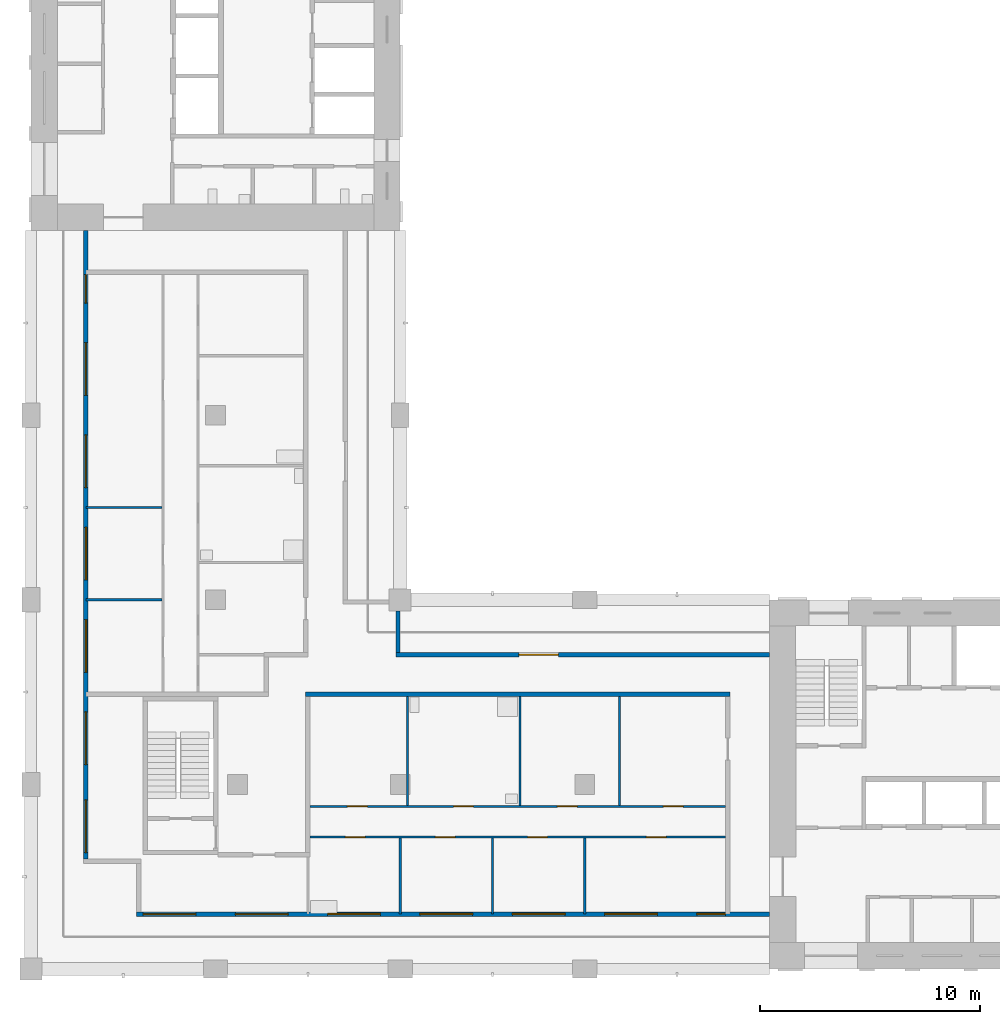
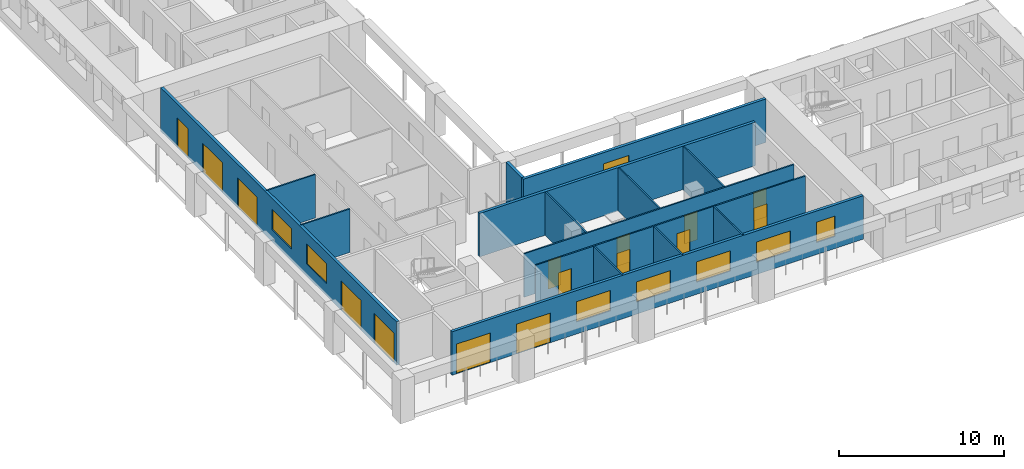
# One storey, part 2 of 9: 16 doors, 15 walls, 7 windows, 23 openings.
"""IFC4 building model written with IfcOpenShell, lengths in metres."""

from ifc_helpers import new_model, si_unit, direction, frame, frame_2d, origin, place, context, subcontext, project, spatial, rectangle, extrude, material, layer, layer_set, type_object, element, fill, save


model = new_model("IFC4")

# Units and contexts
model_context = context("Model", 3, precision=1e-05, world=origin(), true_north=direction((0.0, 1.0)))
body_context = subcontext(model_context, "Body", "Model", "MODEL_VIEW")
ifc_project = project(units=[si_unit("LENGTHUNIT", "METRE"), si_unit("AREAUNIT", "SQUARE_METRE"), si_unit("VOLUMEUNIT", "CUBIC_METRE"), si_unit("PLANEANGLEUNIT", "RADIAN"), si_unit("MASSUNIT", "GRAM", prefix="KILO")], contexts=[model_context])

# Site, building, storey
site_placement = place(None, origin())
site = spatial("IfcSite", under=ifc_project, at=site_placement, CompositionType="ELEMENT")
building_placement = place(site_placement, origin())
building = spatial("IfcBuilding", under=site, at=building_placement, Name="Vermilion Gate Residences", CompositionType="ELEMENT")
storey_placement = place(building_placement, frame((0.0, 0.0, 228.199951171875)))
storey = spatial("IfcBuildingStorey", under=building, at=storey_placement, Name="L59", CompositionType="ELEMENT", Elevation=228.199951171875)

# Wall, openings, doors, windows
ifc_material_1 = material(Name="Insulated steel stud wall with terracotta rainscreen", Category="masonry")
ifc_layer_1 = layer(ifc_material_1, 0.199951171875)
ifc_layer_set_1 = layer_set([ifc_layer_1], Name="EXTERNAL WALL 200 TERRACOTTA RAINSCREEN")
wall_type_1 = type_object("IfcWallType", Name="EXTERNAL WALL 200 TERRACOTTA RAINSCREEN", PredefinedType="SOLIDWALL", material=ifc_layer_set_1)
wall_1_placement = place(storey_placement, frame((10.89990234375, 42.0, 0.0), z_axis=(0.0, 0.0, 1.0), x_axis=(0.0, -1.0, 0.0)))
wall_1 = element("IfcWall", 1, at=wall_1_placement, inside=storey, type_object=wall_type_1, Name="External wall", PredefinedType="SOLIDWALL", context=body_context, shape_type="SweptSolid", body=[
    extrude(rectangle(XDim=28.60009765625, YDim=0.199951171875, at=frame_2d((14.300048828125, 0.0))), origin(), (0.0, 0.0, 1.0), 3.219970703125),
])
opening_1_placement = place(wall_1_placement, frame((25.89990234375, 0.0, 0.0)))
opening_1 = element("IfcOpeningElement", 2, at=opening_1_placement, cuts=wall_1, Name="Opening DE59001", PredefinedType="OPENING", context=body_context, shape_type="SweptSolid", body=[
    extrude(rectangle(XDim=2.39990234375, YDim=2.199951171875, at=frame_2d((1.199951171875, 1.10009765625))), frame((0.0, 0.10986328125, 0.0), z_axis=(0.0, -1.0, 0.0), x_axis=(1.0, 0.0, 0.0)), (0.0, 0.0, 1.0), 0.219970703125),
])
opening_2_placement = place(wall_1_placement, frame((21.89990234375, 0.0, 0.0)))
opening_2 = element("IfcOpeningElement", 3, at=opening_2_placement, cuts=wall_1, Name="Opening DE59002", PredefinedType="OPENING", context=body_context, shape_type="SweptSolid", body=[
    extrude(rectangle(XDim=2.39990234375, YDim=2.199951171875, at=frame_2d((1.199951171875, 1.10009765625))), frame((0.0, 0.10986328125, 0.0), z_axis=(0.0, -1.0, 0.0), x_axis=(1.0, 0.0, 0.0)), (0.0, 0.0, 1.0), 0.219970703125),
])
opening_3_placement = place(wall_1_placement, frame((17.699951171875, 0.0, 0.89990234375)))
opening_3 = element("IfcOpeningElement", 4, at=opening_3_placement, cuts=wall_1, Name="Opening WE59003", PredefinedType="OPENING", context=body_context, shape_type="SweptSolid", body=[
    extrude(rectangle(XDim=2.39990234375, YDim=1.5, at=frame_2d((1.199951171875, 0.75))), frame((0.0, 0.10986328125, 0.0), z_axis=(0.0, -1.0, 0.0), x_axis=(1.0, 0.0, 0.0)), (0.0, 0.0, 1.0), 0.219970703125),
])
opening_4_placement = place(wall_1_placement, frame((13.5, 0.0, 0.89990234375)))
opening_4 = element("IfcOpeningElement", 5, at=opening_4_placement, cuts=wall_1, Name="Opening WE59004", PredefinedType="OPENING", context=body_context, shape_type="SweptSolid", body=[
    extrude(rectangle(XDim=2.39990234375, YDim=1.5, at=frame_2d((1.199951171875, 0.75))), frame((0.0, 0.10986328125, 0.0), z_axis=(0.0, -1.0, 0.0), x_axis=(1.0, 0.0, 0.0)), (0.0, 0.0, 1.0), 0.219970703125),
])
opening_5_placement = place(wall_1_placement, frame((9.300048828125, 0.0, 0.0)))
opening_5 = element("IfcOpeningElement", 6, at=opening_5_placement, cuts=wall_1, Name="Opening DE59005", PredefinedType="OPENING", context=body_context, shape_type="SweptSolid", body=[
    extrude(rectangle(XDim=2.39990234375, YDim=2.199951171875, at=frame_2d((1.199951171875, 1.10009765625))), frame((0.0, 0.10986328125, 0.0), z_axis=(0.0, -1.0, 0.0), x_axis=(1.0, 0.0, 0.0)), (0.0, 0.0, 1.0), 0.219970703125),
])
opening_6_placement = place(wall_1_placement, frame((5.10009765625, 0.0, 0.0)))
opening_6 = element("IfcOpeningElement", 7, at=opening_6_placement, cuts=wall_1, Name="Opening DE59006", PredefinedType="OPENING", context=body_context, shape_type="SweptSolid", body=[
    extrude(rectangle(XDim=2.39990234375, YDim=2.199951171875, at=frame_2d((1.199951171875, 1.10009765625))), frame((0.0, 0.10986328125, 0.0), z_axis=(0.0, -1.0, 0.0), x_axis=(1.0, 0.0, 0.0)), (0.0, 0.0, 1.0), 0.219970703125),
])
opening_7_placement = place(wall_1_placement, frame((2.0, 0.0, 0.0)))
opening_7 = element("IfcOpeningElement", 8, at=opening_7_placement, cuts=wall_1, Name="Opening DE59007", PredefinedType="OPENING", context=body_context, shape_type="SweptSolid", body=[
    extrude(rectangle(XDim=1.300048828125, YDim=2.199951171875, at=frame_2d((0.64990234375, 1.10009765625))), frame((0.0, 0.10986328125, 0.0), z_axis=(0.0, -1.0, 0.0), x_axis=(1.0, 0.0, 0.0)), (0.0, 0.0, 1.0), 0.219970703125),
])
ifc_material_2 = material(Name="Aluminium and clear glass", Category="aluminium")
door_type_1 = type_object("IfcDoorType", Name="SLIDING GLAZED DOOR 1300 X 2200", OperationType="DOUBLE_DOOR_SLIDING", PredefinedType="DOOR", material=ifc_material_2)
door_1_placement = place(opening_7_placement, origin())
door_1 = element("IfcDoor", 9, at=door_1_placement, inside=storey, type_object=door_type_1, Name="Loggia sliding door", OperationType="DOUBLE_DOOR_SLIDING", OverallHeight=2.199951171875, OverallWidth=1.300048828125, PredefinedType="DOOR", context=body_context, shape_type="SweptSolid", body=[
    extrude(rectangle(XDim=1.300048828125, YDim=2.199951171875, at=frame_2d((0.64990234375, 1.10009765625))), frame((0.0, 0.02490234375, 0.0), z_axis=(0.0, -1.0, 0.0), x_axis=(1.0, 0.0, 0.0)), (0.0, 0.0, 1.0), 0.050048828125),
])
fill(opening_7, door_1)
ifc_material_3 = material(Name="Aluminium and clear glass", Category="aluminium")
door_type_2 = type_object("IfcDoorType", Name="SLIDING GLAZED DOOR 2400 X 2200", OperationType="DOUBLE_DOOR_SLIDING", PredefinedType="DOOR", material=ifc_material_3)
door_2_placement = place(opening_1_placement, origin())
door_2 = element("IfcDoor", 10, at=door_2_placement, inside=storey, type_object=door_type_2, Name="Loggia sliding door", OperationType="DOUBLE_DOOR_SLIDING", OverallHeight=2.199951171875, OverallWidth=2.39990234375, PredefinedType="DOOR", context=body_context, shape_type="SweptSolid", body=[
    extrude(rectangle(XDim=2.39990234375, YDim=2.199951171875, at=frame_2d((1.199951171875, 1.10009765625))), frame((0.0, 0.02490234375, 0.0), z_axis=(0.0, -1.0, 0.0), x_axis=(1.0, 0.0, 0.0)), (0.0, 0.0, 1.0), 0.050048828125),
])
fill(opening_1, door_2)
door_3_placement = place(opening_2_placement, origin())
door_3 = element("IfcDoor", 11, at=door_3_placement, inside=storey, type_object=door_type_2, Name="Loggia sliding door", OperationType="DOUBLE_DOOR_SLIDING", OverallHeight=2.199951171875, OverallWidth=2.39990234375, PredefinedType="DOOR", context=body_context, shape_type="SweptSolid", body=[
    extrude(rectangle(XDim=2.39990234375, YDim=2.199951171875, at=frame_2d((1.199951171875, 1.10009765625))), frame((0.0, 0.02490234375, 0.0), z_axis=(0.0, -1.0, 0.0), x_axis=(1.0, 0.0, 0.0)), (0.0, 0.0, 1.0), 0.050048828125),
])
fill(opening_2, door_3)
door_4_placement = place(opening_5_placement, origin())
door_4 = element("IfcDoor", 12, at=door_4_placement, inside=storey, type_object=door_type_2, Name="Loggia sliding door", OperationType="DOUBLE_DOOR_SLIDING", OverallHeight=2.199951171875, OverallWidth=2.39990234375, PredefinedType="DOOR", context=body_context, shape_type="SweptSolid", body=[
    extrude(rectangle(XDim=2.39990234375, YDim=2.199951171875, at=frame_2d((1.199951171875, 1.10009765625))), frame((0.0, 0.02490234375, 0.0), z_axis=(0.0, -1.0, 0.0), x_axis=(1.0, 0.0, 0.0)), (0.0, 0.0, 1.0), 0.050048828125),
])
fill(opening_5, door_4)
door_5_placement = place(opening_6_placement, origin())
door_5 = element("IfcDoor", 13, at=door_5_placement, inside=storey, type_object=door_type_2, Name="Loggia sliding door", OperationType="DOUBLE_DOOR_SLIDING", OverallHeight=2.199951171875, OverallWidth=2.39990234375, PredefinedType="DOOR", context=body_context, shape_type="SweptSolid", body=[
    extrude(rectangle(XDim=2.39990234375, YDim=2.199951171875, at=frame_2d((1.199951171875, 1.10009765625))), frame((0.0, 0.02490234375, 0.0), z_axis=(0.0, -1.0, 0.0), x_axis=(1.0, 0.0, 0.0)), (0.0, 0.0, 1.0), 0.050048828125),
])
fill(opening_6, door_5)
ifc_material_4 = material(Name="Aluminium and clear glass", Category="aluminium")
window_type_1 = type_object("IfcWindowType", Name="WINDOW 2400 X 1500", PartitioningType="SINGLE_PANEL", PredefinedType="WINDOW", material=ifc_material_4)
window_1_placement = place(opening_3_placement, origin())
window_1 = element("IfcWindow", 14, at=window_1_placement, inside=storey, type_object=window_type_1, Name="Window", OverallHeight=1.5, OverallWidth=2.39990234375, PartitioningType="SINGLE_PANEL", PredefinedType="WINDOW", context=body_context, shape_type="SweptSolid", body=[
    extrude(rectangle(XDim=2.39990234375, YDim=1.5, at=frame_2d((1.199951171875, 0.75))), frame((0.0, 0.030029296875, 0.0), z_axis=(0.0, -1.0, 0.0), x_axis=(1.0, 0.0, 0.0)), (0.0, 0.0, 1.0), 0.06005859375),
])
fill(opening_3, window_1)
window_2_placement = place(opening_4_placement, origin())
window_2 = element("IfcWindow", 15, at=window_2_placement, inside=storey, type_object=window_type_1, Name="Window", OverallHeight=1.5, OverallWidth=2.39990234375, PartitioningType="SINGLE_PANEL", PredefinedType="WINDOW", context=body_context, shape_type="SweptSolid", body=[
    extrude(rectangle(XDim=2.39990234375, YDim=1.5, at=frame_2d((1.199951171875, 0.75))), frame((0.0, 0.030029296875, 0.0), z_axis=(0.0, -1.0, 0.0), x_axis=(1.0, 0.0, 0.0)), (0.0, 0.0, 1.0), 0.06005859375),
])
fill(opening_4, window_2)

wall_2_placement = place(storey_placement, frame((13.199951171875, 10.89990234375, 0.0), z_axis=(0.0, 0.0, 1.0), x_axis=(1.0, 0.0, 0.0)))
wall_2 = element("IfcWall", 16, at=wall_2_placement, inside=storey, type_object=wall_type_1, Name="External wall", PredefinedType="SOLIDWALL", context=body_context, shape_type="SweptSolid", body=[
    extrude(rectangle(XDim=28.800048828125, YDim=0.199951171875, at=frame_2d((14.39990234375, 0.0))), origin(), (0.0, 0.0, 1.0), 3.219970703125),
])
opening_8_placement = place(wall_2_placement, frame((0.300048828125, 0.0, 0.0)))
opening_8 = element("IfcOpeningElement", 17, at=opening_8_placement, cuts=wall_2, Name="Opening DE59008", PredefinedType="OPENING", context=body_context, shape_type="SweptSolid", body=[
    extrude(rectangle(XDim=2.39990234375, YDim=2.199951171875, at=frame_2d((1.199951171875, 1.10009765625))), frame((0.0, 0.10986328125, 0.0), z_axis=(0.0, -1.0, 0.0), x_axis=(1.0, 0.0, 0.0)), (0.0, 0.0, 1.0), 0.219970703125),
])
opening_9_placement = place(wall_2_placement, frame((4.5, 0.0, 0.0)))
opening_9 = element("IfcOpeningElement", 18, at=opening_9_placement, cuts=wall_2, Name="Opening DE59009", PredefinedType="OPENING", context=body_context, shape_type="SweptSolid", body=[
    extrude(rectangle(XDim=2.39990234375, YDim=2.199951171875, at=frame_2d((1.199951171875, 1.10009765625))), frame((0.0, 0.10986328125, 0.0), z_axis=(0.0, -1.0, 0.0), x_axis=(1.0, 0.0, 0.0)), (0.0, 0.0, 1.0), 0.219970703125),
])
opening_10_placement = place(wall_2_placement, frame((8.699951171875, 0.0, 0.89990234375)))
opening_10 = element("IfcOpeningElement", 19, at=opening_10_placement, cuts=wall_2, Name="Opening WE59010", PredefinedType="OPENING", context=body_context, shape_type="SweptSolid", body=[
    extrude(rectangle(XDim=2.39990234375, YDim=1.5, at=frame_2d((1.199951171875, 0.75))), frame((0.0, 0.10986328125, 0.0), z_axis=(0.0, -1.0, 0.0), x_axis=(1.0, 0.0, 0.0)), (0.0, 0.0, 1.0), 0.219970703125),
])
opening_11_placement = place(wall_2_placement, frame((12.89990234375, 0.0, 0.89990234375)))
opening_11 = element("IfcOpeningElement", 20, at=opening_11_placement, cuts=wall_2, Name="Opening WE59011", PredefinedType="OPENING", context=body_context, shape_type="SweptSolid", body=[
    extrude(rectangle(XDim=2.39990234375, YDim=1.5, at=frame_2d((1.199951171875, 0.75))), frame((0.0, 0.10986328125, 0.0), z_axis=(0.0, -1.0, 0.0), x_axis=(1.0, 0.0, 0.0)), (0.0, 0.0, 1.0), 0.219970703125),
])
opening_12_placement = place(wall_2_placement, frame((17.10009765625, 0.0, 0.89990234375)))
opening_12 = element("IfcOpeningElement", 21, at=opening_12_placement, cuts=wall_2, Name="Opening WE59012", PredefinedType="OPENING", context=body_context, shape_type="SweptSolid", body=[
    extrude(rectangle(XDim=2.39990234375, YDim=1.5, at=frame_2d((1.199951171875, 0.75))), frame((0.0, 0.10986328125, 0.0), z_axis=(0.0, -1.0, 0.0), x_axis=(1.0, 0.0, 0.0)), (0.0, 0.0, 1.0), 0.219970703125),
])
opening_13_placement = place(wall_2_placement, frame((21.300048828125, 0.0, 0.89990234375)))
opening_13 = element("IfcOpeningElement", 22, at=opening_13_placement, cuts=wall_2, Name="Opening WE59013", PredefinedType="OPENING", context=body_context, shape_type="SweptSolid", body=[
    extrude(rectangle(XDim=2.39990234375, YDim=1.5, at=frame_2d((1.199951171875, 0.75))), frame((0.0, 0.10986328125, 0.0), z_axis=(0.0, -1.0, 0.0), x_axis=(1.0, 0.0, 0.0)), (0.0, 0.0, 1.0), 0.219970703125),
])
opening_14_placement = place(wall_2_placement, frame((25.5, 0.0, 0.89990234375)))
opening_14 = element("IfcOpeningElement", 23, at=opening_14_placement, cuts=wall_2, Name="Opening WE59014", PredefinedType="OPENING", context=body_context, shape_type="SweptSolid", body=[
    extrude(rectangle(XDim=1.300048828125, YDim=1.5, at=frame_2d((0.64990234375, 0.75))), frame((0.0, 0.10986328125, 0.0), z_axis=(0.0, -1.0, 0.0), x_axis=(1.0, 0.0, 0.0)), (0.0, 0.0, 1.0), 0.219970703125),
])
door_6_placement = place(opening_8_placement, origin())
door_6 = element("IfcDoor", 24, at=door_6_placement, inside=storey, type_object=door_type_2, Name="Loggia sliding door", OperationType="DOUBLE_DOOR_SLIDING", OverallHeight=2.199951171875, OverallWidth=2.39990234375, PredefinedType="DOOR", context=body_context, shape_type="SweptSolid", body=[
    extrude(rectangle(XDim=2.39990234375, YDim=2.199951171875, at=frame_2d((1.199951171875, 1.10009765625))), frame((0.0, 0.02490234375, 0.0), z_axis=(0.0, -1.0, 0.0), x_axis=(1.0, 0.0, 0.0)), (0.0, 0.0, 1.0), 0.050048828125),
])
fill(opening_8, door_6)
door_7_placement = place(opening_9_placement, origin())
door_7 = element("IfcDoor", 25, at=door_7_placement, inside=storey, type_object=door_type_2, Name="Loggia sliding door", OperationType="DOUBLE_DOOR_SLIDING", OverallHeight=2.199951171875, OverallWidth=2.39990234375, PredefinedType="DOOR", context=body_context, shape_type="SweptSolid", body=[
    extrude(rectangle(XDim=2.39990234375, YDim=2.199951171875, at=frame_2d((1.199951171875, 1.10009765625))), frame((0.0, 0.02490234375, 0.0), z_axis=(0.0, -1.0, 0.0), x_axis=(1.0, 0.0, 0.0)), (0.0, 0.0, 1.0), 0.050048828125),
])
fill(opening_9, door_7)
ifc_material_5 = material(Name="Aluminium and clear glass", Category="aluminium")
window_type_2 = type_object("IfcWindowType", Name="WINDOW 1300 X 1500", PartitioningType="SINGLE_PANEL", PredefinedType="WINDOW", material=ifc_material_5)
window_3_placement = place(opening_14_placement, origin())
window_3 = element("IfcWindow", 26, at=window_3_placement, inside=storey, type_object=window_type_2, Name="Window", OverallHeight=1.5, OverallWidth=1.300048828125, PartitioningType="SINGLE_PANEL", PredefinedType="WINDOW", context=body_context, shape_type="SweptSolid", body=[
    extrude(rectangle(XDim=1.300048828125, YDim=1.5, at=frame_2d((0.64990234375, 0.75))), frame((0.0, 0.030029296875, 0.0), z_axis=(0.0, -1.0, 0.0), x_axis=(1.0, 0.0, 0.0)), (0.0, 0.0, 1.0), 0.06005859375),
])
fill(opening_14, window_3)
window_4_placement = place(opening_10_placement, origin())
window_4 = element("IfcWindow", 27, at=window_4_placement, inside=storey, type_object=window_type_1, Name="Window", OverallHeight=1.5, OverallWidth=2.39990234375, PartitioningType="SINGLE_PANEL", PredefinedType="WINDOW", context=body_context, shape_type="SweptSolid", body=[
    extrude(rectangle(XDim=2.39990234375, YDim=1.5, at=frame_2d((1.199951171875, 0.75))), frame((0.0, 0.030029296875, 0.0), z_axis=(0.0, -1.0, 0.0), x_axis=(1.0, 0.0, 0.0)), (0.0, 0.0, 1.0), 0.06005859375),
])
fill(opening_10, window_4)
window_5_placement = place(opening_11_placement, origin())
window_5 = element("IfcWindow", 28, at=window_5_placement, inside=storey, type_object=window_type_1, Name="Window", OverallHeight=1.5, OverallWidth=2.39990234375, PartitioningType="SINGLE_PANEL", PredefinedType="WINDOW", context=body_context, shape_type="SweptSolid", body=[
    extrude(rectangle(XDim=2.39990234375, YDim=1.5, at=frame_2d((1.199951171875, 0.75))), frame((0.0, 0.030029296875, 0.0), z_axis=(0.0, -1.0, 0.0), x_axis=(1.0, 0.0, 0.0)), (0.0, 0.0, 1.0), 0.06005859375),
])
fill(opening_11, window_5)
window_6_placement = place(opening_12_placement, origin())
window_6 = element("IfcWindow", 29, at=window_6_placement, inside=storey, type_object=window_type_1, Name="Window", OverallHeight=1.5, OverallWidth=2.39990234375, PartitioningType="SINGLE_PANEL", PredefinedType="WINDOW", context=body_context, shape_type="SweptSolid", body=[
    extrude(rectangle(XDim=2.39990234375, YDim=1.5, at=frame_2d((1.199951171875, 0.75))), frame((0.0, 0.030029296875, 0.0), z_axis=(0.0, -1.0, 0.0), x_axis=(1.0, 0.0, 0.0)), (0.0, 0.0, 1.0), 0.06005859375),
])
fill(opening_12, window_6)
window_7_placement = place(opening_13_placement, origin())
window_7 = element("IfcWindow", 30, at=window_7_placement, inside=storey, type_object=window_type_1, Name="Window", OverallHeight=1.5, OverallWidth=2.39990234375, PartitioningType="SINGLE_PANEL", PredefinedType="WINDOW", context=body_context, shape_type="SweptSolid", body=[
    extrude(rectangle(XDim=2.39990234375, YDim=1.5, at=frame_2d((1.199951171875, 0.75))), frame((0.0, 0.030029296875, 0.0), z_axis=(0.0, -1.0, 0.0), x_axis=(1.0, 0.0, 0.0)), (0.0, 0.0, 1.0), 0.06005859375),
])
fill(opening_13, window_7)

# Wall, opening, door
wall_3_placement = place(storey_placement, frame((42.0, 22.699951171875, 0.0), z_axis=(0.0, 0.0, 1.0), x_axis=(-1.0, 0.0, 0.0)))
wall_3 = element("IfcWall", 31, at=wall_3_placement, inside=storey, type_object=wall_type_1, Name="External wall", PredefinedType="SOLIDWALL", context=body_context, shape_type="SweptSolid", body=[
    extrude(rectangle(XDim=17.0, YDim=0.199951171875, at=frame_2d((8.5, 0.0))), origin(), (0.0, 0.0, 1.0), 3.219970703125),
])
opening_15_placement = place(wall_3_placement, frame((9.60009765625, 0.0, 0.0)))
opening_15 = element("IfcOpeningElement", 32, at=opening_15_placement, cuts=wall_3, Name="Opening DE59015", PredefinedType="OPENING", context=body_context, shape_type="SweptSolid", body=[
    extrude(rectangle(XDim=1.800048828125, YDim=2.39990234375, at=frame_2d((0.89990234375, 1.199951171875))), frame((0.0, 0.10986328125, 0.0), z_axis=(0.0, -1.0, 0.0), x_axis=(1.0, 0.0, 0.0)), (0.0, 0.0, 1.0), 0.219970703125),
])
ifc_material_6 = material(Name="Aluminium and clear glass", Category="aluminium")
door_type_3 = type_object("IfcDoorType", Name="GLAZED EXTERNAL DOOR 1800 X 2400", OperationType="DOUBLE_DOOR_SINGLE_SWING", PredefinedType="DOOR", material=ifc_material_6)
door_8_placement = place(opening_15_placement, frame((1.800048828125, 0.0, 0.0), z_axis=(0.0, 0.0, 1.0), x_axis=(-1.0, 0.0, 0.0)))
door_8 = element("IfcDoor", 33, at=door_8_placement, inside=storey, type_object=door_type_3, Name="Gallery door", OperationType="DOUBLE_DOOR_SINGLE_SWING", OverallHeight=2.39990234375, OverallWidth=1.800048828125, PredefinedType="DOOR", context=body_context, shape_type="SweptSolid", body=[
    extrude(rectangle(XDim=1.800048828125, YDim=2.39990234375, at=frame_2d((0.89990234375, 1.199951171875))), frame((0.0, 0.02490234375, 0.0), z_axis=(0.0, -1.0, 0.0), x_axis=(1.0, 0.0, 0.0)), (0.0, 0.0, 1.0), 0.050048828125),
])
fill(opening_15, door_8)

# Wall
wall_4_placement = place(storey_placement, frame((25.10009765625, 22.800048828125, 0.0), z_axis=(0.0, 0.0, 1.0), x_axis=(0.0, 1.0, 0.0)))
element("IfcWall", 34, at=wall_4_placement, inside=storey, type_object=wall_type_1, Name="External wall", PredefinedType="SOLIDWALL", context=body_context, shape_type="SweptSolid", body=[
    extrude(rectangle(XDim=1.89990234375, YDim=0.199951171875, at=frame_2d((0.949951171875, 0.0))), origin(), (0.0, 0.0, 1.0), 3.219970703125),
])

# Wall, openings, doors
ifc_material_7 = material(Name="Plasterboard on steel studs", Category="steel")
ifc_layer_2 = layer(ifc_material_7, 0.10009765625)
ifc_layer_set_2 = layer_set([ifc_layer_2], Name="PARTITION 100")
wall_type_2 = type_object("IfcWallType", Name="PARTITION 100", PredefinedType="PARTITIONING", material=ifc_layer_set_2)
wall_5_placement = place(storey_placement, frame((21.10009765625, 14.39990234375, 0.0), z_axis=(0.0, 0.0, 1.0), x_axis=(1.0, 0.0, 0.0)))
wall_5 = element("IfcWall", 35, at=wall_5_placement, inside=storey, type_object=wall_type_2, Name="Partition", PredefinedType="PARTITIONING", context=body_context, shape_type="SweptSolid", body=[
    extrude(rectangle(XDim=18.89990234375, YDim=0.10009765625, at=frame_2d((9.449951171875, 0.0))), origin(), (0.0, 0.0, 1.0), 3.219970703125),
])
opening_16_placement = place(wall_5_placement, frame((1.60009765625, 0.0, 0.0)))
opening_16 = element("IfcOpeningElement", 36, at=opening_16_placement, cuts=wall_5, Name="Opening DA58002", PredefinedType="OPENING", context=body_context, shape_type="SweptSolid", body=[
    extrude(rectangle(XDim=0.89990234375, YDim=2.10009765625, at=frame_2d((0.449951171875, 1.050048828125))), frame((0.0, 0.06005859375, 0.0), z_axis=(0.0, -1.0, 0.0), x_axis=(1.0, 0.0, 0.0)), (0.0, 0.0, 1.0), 0.1201171875),
])
opening_17_placement = place(wall_5_placement, frame((5.699951171875, 0.0, 0.0)))
opening_17 = element("IfcOpeningElement", 37, at=opening_17_placement, cuts=wall_5, Name="Opening DA58003", PredefinedType="OPENING", context=body_context, shape_type="SweptSolid", body=[
    extrude(rectangle(XDim=0.89990234375, YDim=2.10009765625, at=frame_2d((0.449951171875, 1.050048828125))), frame((0.0, 0.06005859375, 0.0), z_axis=(0.0, -1.0, 0.0), x_axis=(1.0, 0.0, 0.0)), (0.0, 0.0, 1.0), 0.1201171875),
])
opening_18_placement = place(wall_5_placement, frame((9.89990234375, 0.0, 0.0)))
opening_18 = element("IfcOpeningElement", 38, at=opening_18_placement, cuts=wall_5, Name="Opening DA58004", PredefinedType="OPENING", context=body_context, shape_type="SweptSolid", body=[
    extrude(rectangle(XDim=0.89990234375, YDim=2.10009765625, at=frame_2d((0.449951171875, 1.050048828125))), frame((0.0, 0.06005859375, 0.0), z_axis=(0.0, -1.0, 0.0), x_axis=(1.0, 0.0, 0.0)), (0.0, 0.0, 1.0), 0.1201171875),
])
opening_19_placement = place(wall_5_placement, frame((15.300048828125, 0.0, 0.0)))
opening_19 = element("IfcOpeningElement", 39, at=opening_19_placement, cuts=wall_5, Name="Opening DA58005", PredefinedType="OPENING", context=body_context, shape_type="SweptSolid", body=[
    extrude(rectangle(XDim=0.89990234375, YDim=2.10009765625, at=frame_2d((0.449951171875, 1.050048828125))), frame((0.0, 0.06005859375, 0.0), z_axis=(0.0, -1.0, 0.0), x_axis=(1.0, 0.0, 0.0)), (0.0, 0.0, 1.0), 0.1201171875),
])
ifc_material_8 = material(Name="Timber", Category="wood")
door_type_4 = type_object("IfcDoorType", Name="INTERIOR DOOR 900 X 2100", OperationType="SINGLE_SWING_LEFT", PredefinedType="DOOR", material=ifc_material_8)
door_9_placement = place(opening_16_placement, frame((0.89990234375, 0.0, 0.0), z_axis=(0.0, 0.0, 1.0), x_axis=(-1.0, 0.0, 0.0)))
door_9 = element("IfcDoor", 40, at=door_9_placement, inside=storey, type_object=door_type_4, Name="Interior door", OperationType="SINGLE_SWING_LEFT", OverallHeight=2.10009765625, OverallWidth=0.89990234375, PredefinedType="DOOR", context=body_context, shape_type="SweptSolid", body=[
    extrude(rectangle(XDim=0.89990234375, YDim=2.10009765625, at=frame_2d((0.449951171875, 1.050048828125))), frame((0.0, 0.02490234375, 0.0), z_axis=(0.0, -1.0, 0.0), x_axis=(1.0, 0.0, 0.0)), (0.0, 0.0, 1.0), 0.050048828125),
])
fill(opening_16, door_9)
door_10_placement = place(opening_17_placement, frame((0.89990234375, 0.0, 0.0), z_axis=(0.0, 0.0, 1.0), x_axis=(-1.0, 0.0, 0.0)))
door_10 = element("IfcDoor", 41, at=door_10_placement, inside=storey, type_object=door_type_4, Name="Interior door", OperationType="SINGLE_SWING_RIGHT", OverallHeight=2.10009765625, OverallWidth=0.89990234375, PredefinedType="DOOR", context=body_context, shape_type="SweptSolid", body=[
    extrude(rectangle(XDim=0.89990234375, YDim=2.10009765625, at=frame_2d((0.449951171875, 1.050048828125))), frame((0.0, 0.02490234375, 0.0), z_axis=(0.0, -1.0, 0.0), x_axis=(1.0, 0.0, 0.0)), (0.0, 0.0, 1.0), 0.050048828125),
])
fill(opening_17, door_10)
door_11_placement = place(opening_18_placement, frame((0.89990234375, 0.0, 0.0), z_axis=(0.0, 0.0, 1.0), x_axis=(-1.0, 0.0, 0.0)))
door_11 = element("IfcDoor", 42, at=door_11_placement, inside=storey, type_object=door_type_4, Name="Interior door", OperationType="SINGLE_SWING_RIGHT", OverallHeight=2.10009765625, OverallWidth=0.89990234375, PredefinedType="DOOR", context=body_context, shape_type="SweptSolid", body=[
    extrude(rectangle(XDim=0.89990234375, YDim=2.10009765625, at=frame_2d((0.449951171875, 1.050048828125))), frame((0.0, 0.02490234375, 0.0), z_axis=(0.0, -1.0, 0.0), x_axis=(1.0, 0.0, 0.0)), (0.0, 0.0, 1.0), 0.050048828125),
])
fill(opening_18, door_11)
door_12_placement = place(opening_19_placement, frame((0.89990234375, 0.0, 0.0), z_axis=(0.0, 0.0, 1.0), x_axis=(-1.0, 0.0, 0.0)))
door_12 = element("IfcDoor", 43, at=door_12_placement, inside=storey, type_object=door_type_4, Name="Interior door", OperationType="SINGLE_SWING_LEFT", OverallHeight=2.10009765625, OverallWidth=0.89990234375, PredefinedType="DOOR", context=body_context, shape_type="SweptSolid", body=[
    extrude(rectangle(XDim=0.89990234375, YDim=2.10009765625, at=frame_2d((0.449951171875, 1.050048828125))), frame((0.0, 0.02490234375, 0.0), z_axis=(0.0, -1.0, 0.0), x_axis=(1.0, 0.0, 0.0)), (0.0, 0.0, 1.0), 0.050048828125),
])
fill(opening_19, door_12)

wall_6_placement = place(storey_placement, frame((21.10009765625, 15.800048828125, 0.0), z_axis=(0.0, 0.0, 1.0), x_axis=(1.0, 0.0, 0.0)))
wall_6 = element("IfcWall", 44, at=wall_6_placement, inside=storey, type_object=wall_type_2, Name="Partition", PredefinedType="PARTITIONING", context=body_context, shape_type="SweptSolid", body=[
    extrude(rectangle(XDim=18.89990234375, YDim=0.10009765625, at=frame_2d((9.449951171875, 0.0))), origin(), (0.0, 0.0, 1.0), 3.219970703125),
])
opening_20_placement = place(wall_6_placement, frame((16.074951171875, 0.0, 0.0)))
opening_20 = element("IfcOpeningElement", 45, at=opening_20_placement, cuts=wall_6, Name="Opening DA58006", PredefinedType="OPENING", context=body_context, shape_type="SweptSolid", body=[
    extrude(rectangle(XDim=0.89990234375, YDim=2.10009765625, at=frame_2d((0.449951171875, 1.050048828125))), frame((0.0, 0.06005859375, 0.0), z_axis=(0.0, -1.0, 0.0), x_axis=(1.0, 0.0, 0.0)), (0.0, 0.0, 1.0), 0.1201171875),
])
opening_21_placement = place(wall_6_placement, frame((1.699951171875, 0.0, 0.0)))
opening_21 = element("IfcOpeningElement", 46, at=opening_21_placement, cuts=wall_6, Name="Opening DA58007", PredefinedType="OPENING", context=body_context, shape_type="SweptSolid", body=[
    extrude(rectangle(XDim=0.89990234375, YDim=2.10009765625, at=frame_2d((0.449951171875, 1.050048828125))), frame((0.0, 0.06005859375, 0.0), z_axis=(0.0, -1.0, 0.0), x_axis=(1.0, 0.0, 0.0)), (0.0, 0.0, 1.0), 0.1201171875),
])
opening_22_placement = place(wall_6_placement, frame((6.52490234375, 0.0, 0.0)))
opening_22 = element("IfcOpeningElement", 47, at=opening_22_placement, cuts=wall_6, Name="Opening DA58008", PredefinedType="OPENING", context=body_context, shape_type="SweptSolid", body=[
    extrude(rectangle(XDim=0.89990234375, YDim=2.10009765625, at=frame_2d((0.449951171875, 1.050048828125))), frame((0.0, 0.06005859375, 0.0), z_axis=(0.0, -1.0, 0.0), x_axis=(1.0, 0.0, 0.0)), (0.0, 0.0, 1.0), 0.1201171875),
])
opening_23_placement = place(wall_6_placement, frame((11.25, 0.0, 0.0)))
opening_23 = element("IfcOpeningElement", 48, at=opening_23_placement, cuts=wall_6, Name="Opening DA58009", PredefinedType="OPENING", context=body_context, shape_type="SweptSolid", body=[
    extrude(rectangle(XDim=0.89990234375, YDim=2.10009765625, at=frame_2d((0.449951171875, 1.050048828125))), frame((0.0, 0.06005859375, 0.0), z_axis=(0.0, -1.0, 0.0), x_axis=(1.0, 0.0, 0.0)), (0.0, 0.0, 1.0), 0.1201171875),
])
door_13_placement = place(opening_20_placement, frame((0.89990234375, 0.0, 0.0), z_axis=(0.0, 0.0, 1.0), x_axis=(-1.0, 0.0, 0.0)))
door_13 = element("IfcDoor", 49, at=door_13_placement, inside=storey, type_object=door_type_4, Name="Interior door", OperationType="SINGLE_SWING_LEFT", OverallHeight=2.10009765625, OverallWidth=0.89990234375, PredefinedType="DOOR", context=body_context, shape_type="SweptSolid", body=[
    extrude(rectangle(XDim=0.89990234375, YDim=2.10009765625, at=frame_2d((0.449951171875, 1.050048828125))), frame((0.0, 0.02490234375, 0.0), z_axis=(0.0, -1.0, 0.0), x_axis=(1.0, 0.0, 0.0)), (0.0, 0.0, 1.0), 0.050048828125),
])
fill(opening_20, door_13)
door_14_placement = place(opening_21_placement, origin())
door_14 = element("IfcDoor", 50, at=door_14_placement, inside=storey, type_object=door_type_4, Name="Interior door", OperationType="SINGLE_SWING_LEFT", OverallHeight=2.10009765625, OverallWidth=0.89990234375, PredefinedType="DOOR", context=body_context, shape_type="SweptSolid", body=[
    extrude(rectangle(XDim=0.89990234375, YDim=2.10009765625, at=frame_2d((0.449951171875, 1.050048828125))), frame((0.0, 0.02490234375, 0.0), z_axis=(0.0, -1.0, 0.0), x_axis=(1.0, 0.0, 0.0)), (0.0, 0.0, 1.0), 0.050048828125),
])
fill(opening_21, door_14)
door_15_placement = place(opening_22_placement, origin())
door_15 = element("IfcDoor", 51, at=door_15_placement, inside=storey, type_object=door_type_4, Name="Interior door", OperationType="SINGLE_SWING_RIGHT", OverallHeight=2.10009765625, OverallWidth=0.89990234375, PredefinedType="DOOR", context=body_context, shape_type="SweptSolid", body=[
    extrude(rectangle(XDim=0.89990234375, YDim=2.10009765625, at=frame_2d((0.449951171875, 1.050048828125))), frame((0.0, 0.02490234375, 0.0), z_axis=(0.0, -1.0, 0.0), x_axis=(1.0, 0.0, 0.0)), (0.0, 0.0, 1.0), 0.050048828125),
])
fill(opening_22, door_15)
door_16_placement = place(opening_23_placement, origin())
door_16 = element("IfcDoor", 52, at=door_16_placement, inside=storey, type_object=door_type_4, Name="Interior door", OperationType="SINGLE_SWING_LEFT", OverallHeight=2.10009765625, OverallWidth=0.89990234375, PredefinedType="DOOR", context=body_context, shape_type="SweptSolid", body=[
    extrude(rectangle(XDim=0.89990234375, YDim=2.10009765625, at=frame_2d((0.449951171875, 1.050048828125))), frame((0.0, 0.02490234375, 0.0), z_axis=(0.0, -1.0, 0.0), x_axis=(1.0, 0.0, 0.0)), (0.0, 0.0, 1.0), 0.050048828125),
])
fill(opening_23, door_16)

# Walls
for number, where, z_axis, x_axis, name in (
    (53, (10.89990234375, 25.199951171875, 0.0), (0.0, 0.0, 1.0), (1.0, 0.0, 0.0), "Partition"),
    (54, (10.89990234375, 29.39990234375, 0.0), (0.0, 0.0, 1.0), (1.0, 0.0, 0.0), "Partition"),
    (55, (25.199951171875, 10.89990234375, 0.0), (0.0, 0.0, 1.0), (0.0, 1.0, 0.0), "Partition"),
):
    element("IfcWall", number, at=place(storey_placement, frame(where, z_axis=z_axis, x_axis=x_axis)), inside=storey, type_object=wall_type_2, Name=name, PredefinedType="PARTITIONING", context=body_context, shape_type="SweptSolid", body=[
        extrude(rectangle(XDim=3.4501953125, YDim=0.10009765625, at=frame_2d((1.72509765625, 0.0))), origin(), (0.0, 0.0, 1.0), 3.219970703125),
    ])
wall_7_placement = place(storey_placement, frame((25.52490234375, 15.85009765625, 0.0), z_axis=(0.0, 0.0, 1.0), x_axis=(0.0, 1.0, 0.0)))
element("IfcWall", 56, at=wall_7_placement, inside=storey, type_object=wall_type_2, Name="Partition", PredefinedType="PARTITIONING", context=body_context, shape_type="SweptSolid", body=[
    extrude(rectangle(XDim=4.949951171875, YDim=0.10009765625, at=frame_2d((2.47509765625, 0.0))), origin(), (0.0, 0.0, 1.0), 3.219970703125),
])
wall_8_placement = place(storey_placement, frame((29.39990234375, 10.89990234375, 0.0), z_axis=(0.0, 0.0, 1.0), x_axis=(0.0, 1.0, 0.0)))
element("IfcWall", 57, at=wall_8_placement, inside=storey, type_object=wall_type_2, Name="Partition", PredefinedType="PARTITIONING", context=body_context, shape_type="SweptSolid", body=[
    extrude(rectangle(XDim=3.4501953125, YDim=0.10009765625, at=frame_2d((1.72509765625, 0.0))), origin(), (0.0, 0.0, 1.0), 3.219970703125),
])
wall_9_placement = place(storey_placement, frame((30.64990234375, 15.85009765625, 0.0), z_axis=(0.0, 0.0, 1.0), x_axis=(0.0, 1.0, 0.0)))
element("IfcWall", 58, at=wall_9_placement, inside=storey, type_object=wall_type_2, Name="Partition", PredefinedType="PARTITIONING", context=body_context, shape_type="SweptSolid", body=[
    extrude(rectangle(XDim=4.949951171875, YDim=0.10009765625, at=frame_2d((2.47509765625, 0.0))), origin(), (0.0, 0.0, 1.0), 3.219970703125),
])
wall_10_placement = place(storey_placement, frame((33.60009765625, 10.89990234375, 0.0), z_axis=(0.0, 0.0, 1.0), x_axis=(0.0, 1.0, 0.0)))
element("IfcWall", 59, at=wall_10_placement, inside=storey, type_object=wall_type_2, Name="Partition", PredefinedType="PARTITIONING", context=body_context, shape_type="SweptSolid", body=[
    extrude(rectangle(XDim=3.4501953125, YDim=0.10009765625, at=frame_2d((1.72509765625, 0.0))), origin(), (0.0, 0.0, 1.0), 3.219970703125),
])
wall_11_placement = place(storey_placement, frame((35.175048828125, 15.85009765625, 0.0), z_axis=(0.0, 0.0, 1.0), x_axis=(0.0, 1.0, 0.0)))
element("IfcWall", 60, at=wall_11_placement, inside=storey, type_object=wall_type_2, Name="Partition", PredefinedType="PARTITIONING", context=body_context, shape_type="SweptSolid", body=[
    extrude(rectangle(XDim=4.949951171875, YDim=0.10009765625, at=frame_2d((2.47509765625, 0.0))), origin(), (0.0, 0.0, 1.0), 3.219970703125),
])
ifc_material_9 = material(Name="Fire-rated plasterboard on steel studs", Category="steel")
ifc_layer_3 = layer(ifc_material_9, 0.199951171875)
ifc_layer_set_3 = layer_set([ifc_layer_3], Name="PARTY WALL 200 EI 120")
wall_type_3 = type_object("IfcWallType", Name="PARTY WALL 200 EI 120", PredefinedType="PARTITIONING", material=ifc_layer_set_3)
wall_12_placement = place(storey_placement, frame((20.89990234375, 20.89990234375, 0.0), z_axis=(0.0, 0.0, 1.0), x_axis=(1.0, 0.0, 0.0)))
element("IfcWall", 61, at=wall_12_placement, inside=storey, type_object=wall_type_3, Name="Party and corridor wall", PredefinedType="PARTITIONING", context=body_context, shape_type="SweptSolid", body=[
    extrude(rectangle(XDim=19.300048828125, YDim=0.199951171875, at=frame_2d((9.64990234375, 0.0))), origin(), (0.0, 0.0, 1.0), 3.219970703125),
])

save(model, "model.ifc")
